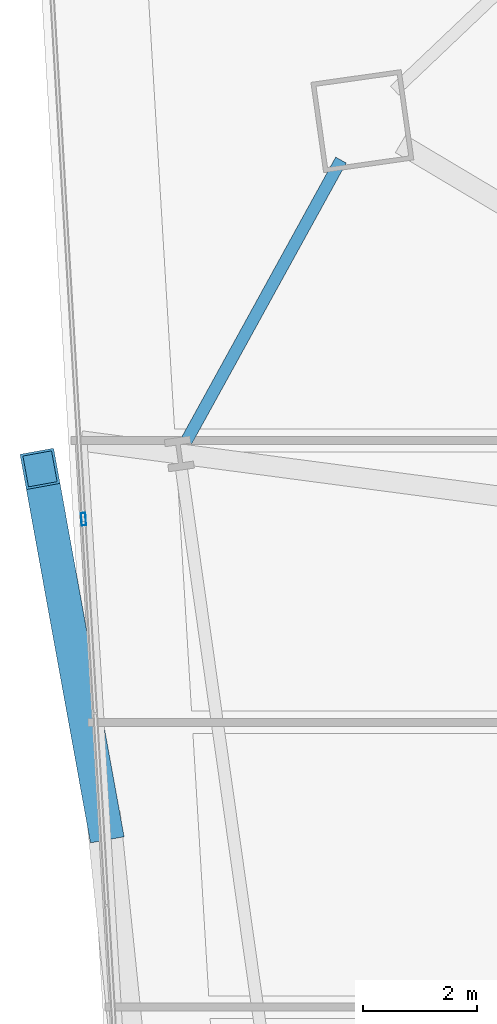
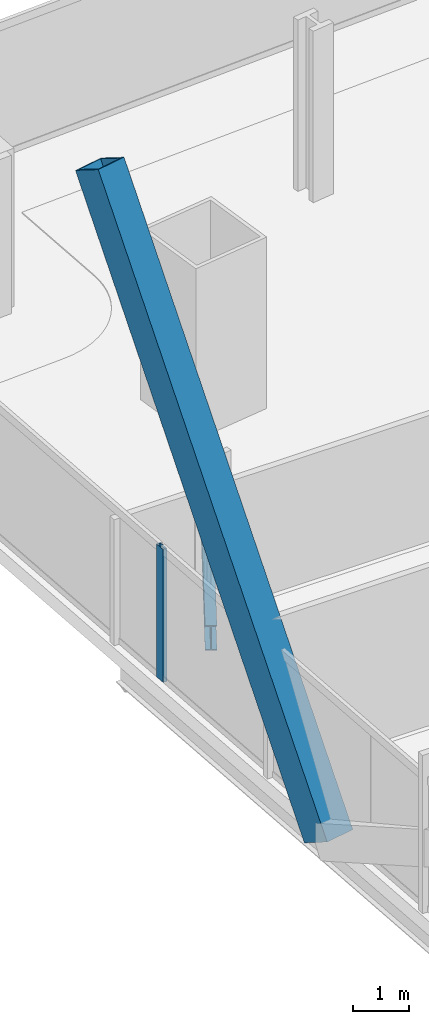
# One storey, part 14 of 34: 2 members, 1 beam, 1 element without a shape of its own.
"""IFC4 building model written with IfcOpenShell, lengths in metres."""

from ifc_helpers import new_model, si_unit, direction, frame, origin, origin_2d, place, context, subcontext, project, spatial, hollow_rectangle, i_section, extrude, material, material_profile, profile_set, type_object, element, aggregate, save


model = new_model("IFC4")

# Units and contexts
model_context = context("Model", 3, precision=1e-05, world=origin(), true_north=direction((0.0, 1.0)))
body_context = subcontext(model_context, "Body", "Model", "MODEL_VIEW")
ifc_project = project(units=[si_unit("LENGTHUNIT", "METRE"), si_unit("AREAUNIT", "SQUARE_METRE"), si_unit("VOLUMEUNIT", "CUBIC_METRE"), si_unit("PLANEANGLEUNIT", "RADIAN"), si_unit("MASSUNIT", "GRAM", prefix="KILO")], contexts=[model_context])

# Site, building, storey
site_placement = place(None, origin())
site = spatial("IfcSite", under=ifc_project, at=site_placement, CompositionType="ELEMENT")
building_placement = place(site_placement, origin())
building = spatial("IfcBuilding", under=site, at=building_placement, Name="Haldenkirk Collegiate Tower", CompositionType="ELEMENT")
storey_placement = place(building_placement, frame((0.0, 0.0, 40.199951171875)))
storey = spatial("IfcBuildingStorey", under=building, at=storey_placement, Name="L08", CompositionType="ELEMENT", Elevation=40.199951171875)

# Beam
ifc_material_1 = material(Name="Steel ASTM A992 Grade 50", Category="steel")
ifc_material_profile_1 = material_profile(ifc_material_1, i_section(OverallWidth=0.2119140625, OverallDepth=0.5439453125, WebThickness=0.01318359375, FlangeThickness=0.021240234375, at=origin_2d()), Name="W21X83")
ifc_profile_set_1 = profile_set([ifc_material_profile_1], Name="Steel ASTM A992 Grade 50")
beam_type = type_object("IfcBeamType", Name="BM-SPANDREL-W21X83", PredefinedType="SPANDREL", material=ifc_profile_set_1)
beam_placement = place(storey_placement, frame((13.10400390625, 41.37109375, -0.58203125), z_axis=(-0.482003753736, -0.876169151126, 0.0), x_axis=(0.876169151126, -0.482003753736, 0.0)))
element("IfcBeam", 1, at=beam_placement, inside=storey, type_object=beam_type, Name="L08 perimeter spandrel beam 13", PredefinedType="SPANDREL", context=body_context, shape_type="SweptSolid", body=[
    extrude(i_section(OverallWidth=0.2119140625, OverallDepth=0.5439453125, WebThickness=0.01318359375, FlangeThickness=0.021240234375, at=origin_2d()), origin(), (0.0, 0.0, 1.0), 5.622802734375),
])

# Curtain wall, member
ifc_material_2 = material(Name="Anodised architectural bronze aluminium", Category="aluminium")
curtain_wall_type = type_object("IfcCurtainWallType", Name="CW-SYS1-CONVEX-LOW", PredefinedType="USERDEFINED", material=ifc_material_2)
curtain_wall_placement = place(storey_placement, origin())
curtain_wall = element("IfcCurtainWall", 2, at=curtain_wall_placement, inside=storey, type_object=curtain_wall_type, Name="L08 Lower tower convex bronze-framed unitised curtain wall", ObjectType="UNITISED CURTAIN WALL", PredefinedType="USERDEFINED")
ifc_material_profile_2 = material_profile(ifc_material_2, hollow_rectangle(XDim=0.080078125, YDim=0.219970703125, WallThickness=0.0048828125, at=origin_2d()), Name="CW-MUL-1A")
ifc_profile_set_2 = profile_set([ifc_material_profile_2], Name="Anodised architectural bronze aluminium")
member_type_1 = type_object("IfcMemberType", Name="CW-MUL-1A", PredefinedType="MULLION", material=ifc_profile_set_2)
member_1_placement = place(storey_placement, frame((8.584716796875, 35.066650390625, 0.0), z_axis=(0.0, 0.0, 1.0), x_axis=(-0.99818789594, -0.06017411735, 0.0)))
member_1 = element("IfcMember", 3, at=member_1_placement, type_object=member_type_1, Name="CW-1A mullion 4", PredefinedType="MULLION", context=body_context, shape_type="SweptSolid", body=[
    extrude(hollow_rectangle(XDim=0.080078125, YDim=0.219970703125, WallThickness=0.0048828125, at=origin_2d()), origin(), (0.0, 0.0, 1.0), 2.89111328125),
])
aggregate(curtain_wall, [member_1])

# Member
ifc_material_3 = material(Name="Steel ASTM A572 Grade 50", Category="steel")
ifc_material_profile_3 = material_profile(ifc_material_3, hollow_rectangle(XDim=0.60009765625, YDim=0.719970703125, WallThickness=0.044921875, at=origin_2d()), Name="BOX720X600X45")
ifc_profile_set_3 = profile_set([ifc_material_profile_3], Name="Steel ASTM A572 Grade 50")
member_type_2 = type_object("IfcMemberType", Name="MBR-MEGABRACE-BOX720X600X45", PredefinedType="BRACE", material=ifc_profile_set_3)
member_2_placement = place(storey_placement, frame((8.945556640625, 29.7470703125, -0.320068359375), z_axis=(-0.087236334322, 0.481011454524, 0.872363343218), x_axis=(-0.983949124162, -0.178449211435, 0.0)))
element("IfcMember", 4, at=member_2_placement, inside=storey, type_object=member_type_2, Name="Perimeter Mega Brace Z1 L08-L10 WL", PredefinedType="BRACE", context=body_context, shape_type="SweptSolid", body=[
    extrude(hollow_rectangle(XDim=0.60009765625, YDim=0.719970703125, WallThickness=0.044921875, at=origin_2d()), origin(), (0.0, 0.0, 1.0), 12.89599609375),
])

save(model, "model.ifc")
